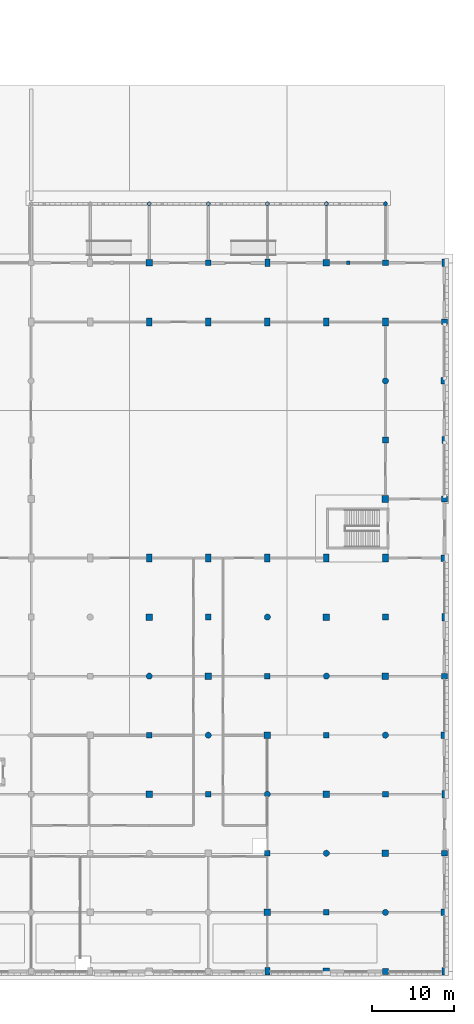
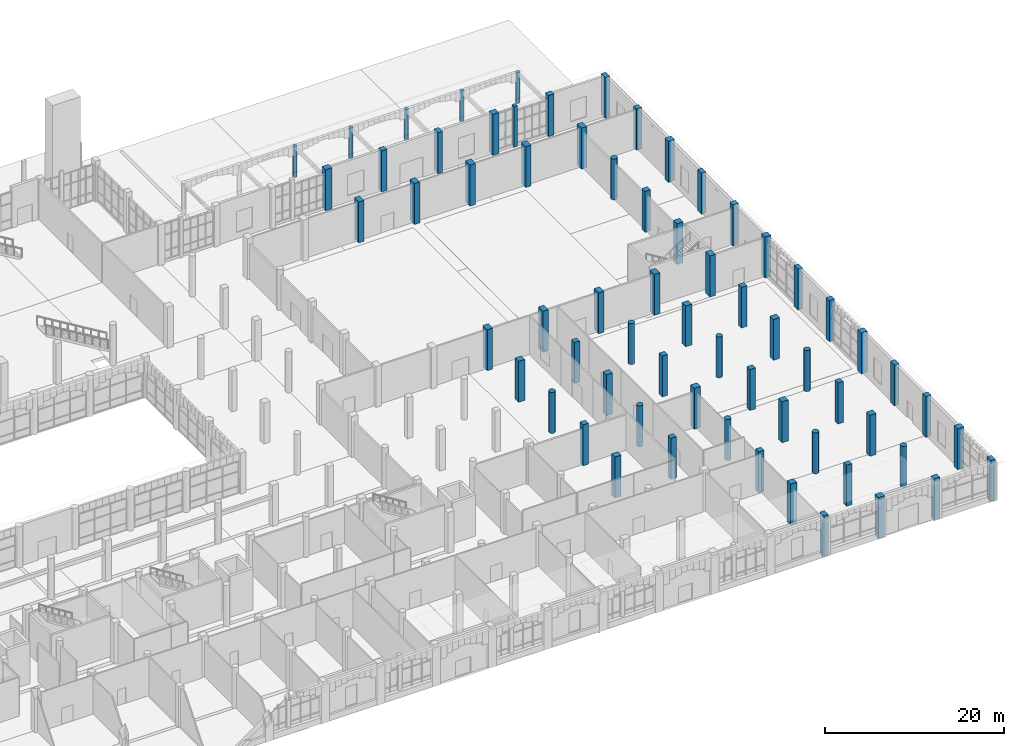
# One storey, part 7 of 85: 66 columns.
"""IFC4 building model written with IfcOpenShell, lengths in metres."""

from ifc_helpers import new_model, si_unit, direction, frame, origin, origin_2d, place, context, subcontext, project, spatial, rectangle, circle, extrude, material, material_profile, profile_set, type_object, element, save


model = new_model("IFC4")

# Units and contexts
model_context = context("Model", 3, precision=1e-05, world=origin(), true_north=direction((0.0, 1.0)))
body_context = subcontext(model_context, "Body", "Model", "MODEL_VIEW")
ifc_project = project(units=[si_unit("LENGTHUNIT", "METRE"), si_unit("AREAUNIT", "SQUARE_METRE"), si_unit("VOLUMEUNIT", "CUBIC_METRE"), si_unit("PLANEANGLEUNIT", "RADIAN"), si_unit("MASSUNIT", "GRAM", prefix="KILO")], contexts=[model_context])

# Site, building, storey
site_placement = place(None, origin())
site = spatial("IfcSite", under=ifc_project, at=site_placement, CompositionType="ELEMENT")
building_placement = place(site_placement, origin())
building = spatial("IfcBuilding", under=site, at=building_placement, Name="Sardonyx Promenade Sports Hall", CompositionType="ELEMENT")
storey_placement = place(building_placement, origin())
storey = spatial("IfcBuildingStorey", under=building, at=storey_placement, Name="L00", CompositionType="ELEMENT", Elevation=0.0)

# Columns
ifc_material_1 = material(Name="Concrete C40/50", Category="concrete")
ifc_material_profile_1 = material_profile(ifc_material_1, rectangle(XDim=0.449951171875, YDim=0.449951171875, at=origin_2d()))
ifc_profile_set_1 = profile_set([ifc_material_profile_1], Name="Concrete C40/50")
column_type_1 = type_object("IfcColumnType", Name="Col_Ext_RC450", PredefinedType="PILASTER", material=ifc_profile_set_1)
column_placement = place(storey_placement, frame((153.85009765625, 86.39990234375, 0.0), z_axis=(0.0, 0.0, 1.0), x_axis=(1.0, 0.0, 0.0)))
element("IfcColumn", 1, at=column_placement, inside=storey, type_object=column_type_1, Name="Sandstone facade pilaster #11", PredefinedType="PILASTER", context=body_context, shape_type="SweptSolid", body=[
    extrude(rectangle(XDim=0.449951171875, YDim=0.449951171875, at=origin_2d()), origin(), (0.0, 0.0, 1.0), 5.60009765625),
])
ifc_material_2 = material(Name="Concrete C40/50", Category="concrete")
ifc_material_profile_2 = material_profile(ifc_material_2, rectangle(XDim=0.60009765625, YDim=0.89990234375, at=origin_2d()))
ifc_profile_set_2 = profile_set([ifc_material_profile_2], Name="Concrete C40/50")
column_type_2 = type_object("IfcColumnType", Name="Col_Ext_RC600x900", PredefinedType="COLUMN", material=ifc_profile_set_2)
for number, where, z_axis, x_axis, name in (
    (2, (144.0, 0.0, 0.0), (0.0, 0.0, 1.0), (1.0, 0.0, 0.0), "Column CE12 L00 (144.0,0.0)"),
    (3, (144.0, 86.39990234375, 0.0), (0.0, 0.0, 1.0), (1.0, 0.0, 0.0), "Column CE12 L00 (144.0,86.4)"),
    (4, (165.60009765625, 0.0, 0.0), (0.0, 0.0, 1.0), (1.0, 0.0, 0.0), "Column CE12 L00 (165.6,0.0)"),
    (5, (165.60009765625, 21.60009765625, 0.0), (0.0, 0.0, 1.0), (1.0, 0.0, 0.0), "Column CE12 L00 (165.6,21.6)"),
    (6, (165.60009765625, 43.199951171875, 0.0), (0.0, 0.0, 1.0), (1.0, 0.0, 0.0), "Column CE12 L00 (165.6,43.2)"),
    (7, (165.60009765625, 64.800048828125, 0.0), (0.0, 0.0, 1.0), (1.0, 0.0, 0.0), "Column CE12 L00 (165.6,64.8)"),
    (8, (165.60009765625, 86.39990234375, 0.0), (0.0, 0.0, 1.0), (1.0, 0.0, 0.0), "Column CE12 L00 (165.6,86.4)"),
):
    element("IfcColumn", number, at=place(storey_placement, frame(where, z_axis=z_axis, x_axis=x_axis)), inside=storey, type_object=column_type_2, Name=name, PredefinedType="COLUMN", context=body_context, shape_type="SweptSolid", body=[
        extrude(rectangle(XDim=0.60009765625, YDim=0.89990234375, at=origin_2d()), origin(), (0.0, 0.0, 1.0), 5.60009765625),
    ])
ifc_material_3 = material(Name="Concrete C40/50", Category="concrete")
ifc_material_profile_3 = material_profile(ifc_material_3, rectangle(XDim=0.699951171875, YDim=0.699951171875, at=origin_2d()))
ifc_profile_set_3 = profile_set([ifc_material_profile_3], Name="Concrete C40/50")
column_type_3 = type_object("IfcColumnType", Name="Col_Ext_RC700", PredefinedType="COLUMN", material=ifc_profile_set_3)
for number, where, z_axis, x_axis, name in (
    (9, (136.800048828125, 86.39990234375, 0.0), (0.0, 0.0, 1.0), (1.0, 0.0, 0.0), "Column CE05 L00 (136.8,86.4)"),
    (10, (158.39990234375, 0.0, 0.0), (0.0, 0.0, 1.0), (1.0, 0.0, 0.0), "Column CE05 L00 (158.4,0.0)"),
    (11, (158.39990234375, 86.39990234375, 0.0), (0.0, 0.0, 1.0), (1.0, 0.0, 0.0), "Column CE05 L00 (158.4,86.4)"),
    (12, (165.60009765625, 14.39990234375, 0.0), (0.0, 0.0, 1.0), (1.0, 0.0, 0.0), "Column CE05 L00 (165.6,14.4)"),
    (13, (165.60009765625, 36.0, 0.0), (0.0, 0.0, 1.0), (1.0, 0.0, 0.0), "Column CE05 L00 (165.6,36.0)"),
    (14, (165.60009765625, 57.60009765625, 0.0), (0.0, 0.0, 1.0), (1.0, 0.0, 0.0), "Column CE05 L00 (165.6,57.6)"),
    (15, (165.60009765625, 79.199951171875, 0.0), (0.0, 0.0, 1.0), (1.0, 0.0, 0.0), "Column CE05 L00 (165.6,79.2)"),
):
    element("IfcColumn", number, at=place(storey_placement, frame(where, z_axis=z_axis, x_axis=x_axis)), inside=storey, type_object=column_type_3, Name=name, PredefinedType="COLUMN", context=body_context, shape_type="SweptSolid", body=[
        extrude(rectangle(XDim=0.699951171875, YDim=0.699951171875, at=origin_2d()), origin(), (0.0, 0.0, 1.0), 5.60009765625),
    ])
ifc_material_4 = material(Name="Concrete C50/60", Category="concrete")
ifc_material_profile_4 = material_profile(ifc_material_4, rectangle(XDim=0.699951171875, YDim=1.0, at=origin_2d()))
ifc_profile_set_4 = profile_set([ifc_material_profile_4], Name="Concrete C50/60")
column_type_4 = type_object("IfcColumnType", Name="Col_Ext_RC700x1000", PredefinedType="COLUMN", material=ifc_profile_set_4)
for number, where, z_axis, x_axis, name in (
    (16, (129.60009765625, 50.39990234375, 0.0), (0.0, 0.0, 1.0), (1.0, 0.0, 0.0), "Column CE02 L00 (129.6,50.4)"),
    (17, (129.60009765625, 79.199951171875, 0.0), (0.0, 0.0, 1.0), (1.0, 0.0, 0.0), "Column CE02 L00 (129.6,79.2)"),
    (18, (136.800048828125, 50.39990234375, 0.0), (0.0, 0.0, 1.0), (1.0, 0.0, 0.0), "Column CE02 L00 (136.8,50.4)"),
    (19, (136.800048828125, 79.199951171875, 0.0), (0.0, 0.0, 1.0), (1.0, 0.0, 0.0), "Column CE02 L00 (136.8,79.2)"),
    (20, (144.0, 50.39990234375, 0.0), (0.0, 0.0, 1.0), (1.0, 0.0, 0.0), "Column CE02 L00 (144.0,50.4)"),
    (21, (144.0, 79.199951171875, 0.0), (0.0, 0.0, 1.0), (1.0, 0.0, 0.0), "Column CE02 L00 (144.0,79.2)"),
    (22, (151.199951171875, 50.39990234375, 0.0), (0.0, 0.0, 1.0), (1.0, 0.0, 0.0), "Column CE02 L00 (151.2,50.4)"),
    (23, (151.199951171875, 79.199951171875, 0.0), (0.0, 0.0, 1.0), (1.0, 0.0, 0.0), "Column CE02 L00 (151.2,79.2)"),
    (24, (158.39990234375, 50.39990234375, 0.0), (0.0, 0.0, 1.0), (1.0, 0.0, 0.0), "Column CE02 L00 (158.4,50.4)"),
    (25, (158.39990234375, 79.199951171875, 0.0), (0.0, 0.0, 1.0), (1.0, 0.0, 0.0), "Column CE02 L00 (158.4,79.2)"),
):
    element("IfcColumn", number, at=place(storey_placement, frame(where, z_axis=z_axis, x_axis=x_axis)), inside=storey, type_object=column_type_4, Name=name, PredefinedType="COLUMN", context=body_context, shape_type="SweptSolid", body=[
        extrude(rectangle(XDim=0.699951171875, YDim=1.0, at=origin_2d()), origin(), (0.0, 0.0, 1.0), 5.60009765625),
    ])
ifc_material_5 = material(Name="Concrete C50/60", Category="concrete")
ifc_material_profile_5 = material_profile(ifc_material_5, rectangle(XDim=0.800048828125, YDim=0.800048828125, at=origin_2d()))
ifc_profile_set_5 = profile_set([ifc_material_profile_5], Name="Concrete C50/60")
column_type_5 = type_object("IfcColumnType", Name="Col_Ext_RC800", PredefinedType="COLUMN", material=ifc_profile_set_5)
for number, where, z_axis, x_axis, name in (
    (26, (129.60009765625, 86.39990234375, 0.0), (0.0, 0.0, 1.0), (1.0, 0.0, 0.0), "Column CE13 L00 (129.6,86.4)"),
    (27, (151.199951171875, 0.0, 0.0), (0.0, 0.0, 1.0), (1.0, 0.0, 0.0), "Column CE13 L00 (151.2,0.0)"),
    (28, (151.199951171875, 86.39990234375, 0.0), (0.0, 0.0, 1.0), (1.0, 0.0, 0.0), "Column CE13 L00 (151.2,86.4)"),
    (29, (165.60009765625, 7.199951171875, 0.0), (0.0, 0.0, 1.0), (1.0, 0.0, 0.0), "Column CE13 L00 (165.6,7.2)"),
    (30, (165.60009765625, 28.800048828125, 0.0), (0.0, 0.0, 1.0), (1.0, 0.0, 0.0), "Column CE13 L00 (165.6,28.8)"),
    (31, (165.60009765625, 50.39990234375, 0.0), (0.0, 0.0, 1.0), (1.0, 0.0, 0.0), "Column CE13 L00 (165.6,50.4)"),
    (32, (165.60009765625, 72.0, 0.0), (0.0, 0.0, 1.0), (1.0, 0.0, 0.0), "Column CE13 L00 (165.6,72.0)"),
):
    element("IfcColumn", number, at=place(storey_placement, frame(where, z_axis=z_axis, x_axis=x_axis)), inside=storey, type_object=column_type_5, Name=name, PredefinedType="COLUMN", context=body_context, shape_type="SweptSolid", body=[
        extrude(rectangle(XDim=0.800048828125, YDim=0.800048828125, at=origin_2d()), origin(), (0.0, 0.0, 1.0), 5.60009765625),
    ])
ifc_material_6 = material(Name="Concrete C40/50", Category="concrete")
ifc_material_profile_6 = material_profile(ifc_material_6, circle(Radius=0.25, at=origin_2d()))
ifc_profile_set_6 = profile_set([ifc_material_profile_6], Name="Concrete C40/50")
column_type_6 = type_object("IfcColumnType", Name="Col_Ext_RCD500", PredefinedType="COLUMN", material=ifc_profile_set_6)
for number, where, z_axis, x_axis, name in (
    (33, (129.60009765625, 93.60009765625, 0.0), (0.0, 0.0, 1.0), (1.0, 0.0, 0.0), "Column CE14 L00 (129.6,93.6)"),
    (34, (136.800048828125, 93.60009765625, 0.0), (0.0, 0.0, 1.0), (1.0, 0.0, 0.0), "Column CE14 L00 (136.8,93.6)"),
    (35, (144.0, 93.60009765625, 0.0), (0.0, 0.0, 1.0), (1.0, 0.0, 0.0), "Column CE14 L00 (144.0,93.6)"),
    (36, (151.199951171875, 93.60009765625, 0.0), (0.0, 0.0, 1.0), (1.0, 0.0, 0.0), "Column CE14 L00 (151.2,93.6)"),
    (37, (158.39990234375, 93.60009765625, 0.0), (0.0, 0.0, 1.0), (1.0, 0.0, 0.0), "Column CE14 L00 (158.4,93.6)"),
):
    element("IfcColumn", number, at=place(storey_placement, frame(where, z_axis=z_axis, x_axis=x_axis)), inside=storey, type_object=column_type_6, Name=name, PredefinedType="COLUMN", context=body_context, shape_type="SweptSolid", body=[
        extrude(circle(Radius=0.25, at=origin_2d()), origin(), (0.0, 0.0, 1.0), 4.199951171875),
    ])
ifc_material_7 = material(Name="Concrete C50/60", Category="concrete")
ifc_material_profile_7 = material_profile(ifc_material_7, rectangle(XDim=0.699951171875, YDim=0.699951171875, at=origin_2d()))
ifc_profile_set_7 = profile_set([ifc_material_profile_7], Name="Concrete C50/60")
column_type_7 = type_object("IfcColumnType", Name="Col_Int_RC700", PredefinedType="COLUMN", material=ifc_profile_set_7)
for number, where, z_axis, x_axis, name in (
    (38, (129.60009765625, 28.800048828125, 0.0), (0.0, 0.0, 1.0), (1.0, 0.0, 0.0), "Column CI03 L00 (129.6,28.8)"),
    (39, (136.800048828125, 21.60009765625, 0.0), (0.0, 0.0, 1.0), (1.0, 0.0, 0.0), "Column CI03 L00 (136.8,21.6)"),
    (40, (136.800048828125, 43.199951171875, 0.0), (0.0, 0.0, 1.0), (1.0, 0.0, 0.0), "Column CI03 L00 (136.8,43.2)"),
    (41, (144.0, 14.39990234375, 0.0), (0.0, 0.0, 1.0), (1.0, 0.0, 0.0), "Column CI03 L00 (144.0,14.4)"),
    (42, (144.0, 36.0, 0.0), (0.0, 0.0, 1.0), (1.0, 0.0, 0.0), "Column CI03 L00 (144.0,36.0)"),
    (43, (151.199951171875, 7.199951171875, 0.0), (0.0, 0.0, 1.0), (1.0, 0.0, 0.0), "Column CI03 L00 (151.2,7.2)"),
    (44, (151.199951171875, 28.800048828125, 0.0), (0.0, 0.0, 1.0), (1.0, 0.0, 0.0), "Column CI03 L00 (151.2,28.8)"),
    (45, (158.39990234375, 21.60009765625, 0.0), (0.0, 0.0, 1.0), (1.0, 0.0, 0.0), "Column CI03 L00 (158.4,21.6)"),
    (46, (158.39990234375, 43.199951171875, 0.0), (0.0, 0.0, 1.0), (1.0, 0.0, 0.0), "Column CI03 L00 (158.4,43.2)"),
    (47, (158.39990234375, 64.800048828125, 0.0), (0.0, 0.0, 1.0), (1.0, 0.0, 0.0), "Column CI03 L00 (158.4,64.8)"),
):
    element("IfcColumn", number, at=place(storey_placement, frame(where, z_axis=z_axis, x_axis=x_axis)), inside=storey, type_object=column_type_7, Name=name, PredefinedType="COLUMN", context=body_context, shape_type="SweptSolid", body=[
        extrude(rectangle(XDim=0.699951171875, YDim=0.699951171875, at=origin_2d()), origin(), (0.0, 0.0, 1.0), 5.60009765625),
    ])
ifc_material_8 = material(Name="Concrete C50/60", Category="concrete")
ifc_material_profile_8 = material_profile(ifc_material_8, rectangle(XDim=0.800048828125, YDim=0.800048828125, at=origin_2d()))
ifc_profile_set_8 = profile_set([ifc_material_profile_8], Name="Concrete C50/60")
column_type_8 = type_object("IfcColumnType", Name="Col_Int_RC800", PredefinedType="COLUMN", material=ifc_profile_set_8)
for number, where, z_axis, x_axis, name in (
    (48, (129.60009765625, 21.60009765625, 0.0), (0.0, 0.0, 1.0), (1.0, 0.0, 0.0), "Column CI01 L00 (129.6,21.6)"),
    (49, (129.60009765625, 43.199951171875, 0.0), (0.0, 0.0, 1.0), (1.0, 0.0, 0.0), "Column CI01 L00 (129.6,43.2)"),
    (50, (136.800048828125, 36.0, 0.0), (0.0, 0.0, 1.0), (1.0, 0.0, 0.0), "Column CI01 L00 (136.8,36.0)"),
    (51, (144.0, 7.199951171875, 0.0), (0.0, 0.0, 1.0), (1.0, 0.0, 0.0), "Column CI01 L00 (144.0,7.2)"),
    (52, (144.0, 28.800048828125, 0.0), (0.0, 0.0, 1.0), (1.0, 0.0, 0.0), "Column CI01 L00 (144.0,28.8)"),
    (53, (151.199951171875, 21.60009765625, 0.0), (0.0, 0.0, 1.0), (1.0, 0.0, 0.0), "Column CI01 L00 (151.2,21.6)"),
    (54, (151.199951171875, 43.199951171875, 0.0), (0.0, 0.0, 1.0), (1.0, 0.0, 0.0), "Column CI01 L00 (151.2,43.2)"),
    (55, (158.39990234375, 14.39990234375, 0.0), (0.0, 0.0, 1.0), (1.0, 0.0, 0.0), "Column CI01 L00 (158.4,14.4)"),
    (56, (158.39990234375, 36.0, 0.0), (0.0, 0.0, 1.0), (1.0, 0.0, 0.0), "Column CI01 L00 (158.4,36.0)"),
    (57, (158.39990234375, 57.60009765625, 0.0), (0.0, 0.0, 1.0), (1.0, 0.0, 0.0), "Column CI01 L00 (158.4,57.6)"),
):
    element("IfcColumn", number, at=place(storey_placement, frame(where, z_axis=z_axis, x_axis=x_axis)), inside=storey, type_object=column_type_8, Name=name, PredefinedType="COLUMN", context=body_context, shape_type="SweptSolid", body=[
        extrude(rectangle(XDim=0.800048828125, YDim=0.800048828125, at=origin_2d()), origin(), (0.0, 0.0, 1.0), 5.60009765625),
    ])
ifc_material_9 = material(Name="Concrete C50/60", Category="concrete")
ifc_material_profile_9 = material_profile(ifc_material_9, circle(Radius=0.375, at=origin_2d()))
ifc_profile_set_9 = profile_set([ifc_material_profile_9], Name="Concrete C50/60")
column_type_9 = type_object("IfcColumnType", Name="Col_Int_RCD750", PredefinedType="COLUMN", material=ifc_profile_set_9)
for number, where, z_axis, x_axis, name in (
    (58, (129.60009765625, 36.0, 0.0), (0.0, 0.0, 1.0), (1.0, 0.0, 0.0), "Column CI07 L00 (129.6,36.0)"),
    (59, (136.800048828125, 28.800048828125, 0.0), (0.0, 0.0, 1.0), (1.0, 0.0, 0.0), "Column CI07 L00 (136.8,28.8)"),
    (60, (144.0, 21.60009765625, 0.0), (0.0, 0.0, 1.0), (1.0, 0.0, 0.0), "Column CI07 L00 (144.0,21.6)"),
    (61, (144.0, 43.199951171875, 0.0), (0.0, 0.0, 1.0), (1.0, 0.0, 0.0), "Column CI07 L00 (144.0,43.2)"),
    (62, (151.199951171875, 14.39990234375, 0.0), (0.0, 0.0, 1.0), (1.0, 0.0, 0.0), "Column CI07 L00 (151.2,14.4)"),
    (63, (151.199951171875, 36.0, 0.0), (0.0, 0.0, 1.0), (1.0, 0.0, 0.0), "Column CI07 L00 (151.2,36.0)"),
    (64, (158.39990234375, 7.199951171875, 0.0), (0.0, 0.0, 1.0), (1.0, 0.0, 0.0), "Column CI07 L00 (158.4,7.2)"),
    (65, (158.39990234375, 28.800048828125, 0.0), (0.0, 0.0, 1.0), (1.0, 0.0, 0.0), "Column CI07 L00 (158.4,28.8)"),
    (66, (158.39990234375, 72.0, 0.0), (0.0, 0.0, 1.0), (1.0, 0.0, 0.0), "Column CI07 L00 (158.4,72.0)"),
):
    element("IfcColumn", number, at=place(storey_placement, frame(where, z_axis=z_axis, x_axis=x_axis)), inside=storey, type_object=column_type_9, Name=name, PredefinedType="COLUMN", context=body_context, shape_type="SweptSolid", body=[
        extrude(circle(Radius=0.375, at=origin_2d()), origin(), (0.0, 0.0, 1.0), 5.60009765625),
    ])

save(model, "model.ifc")
